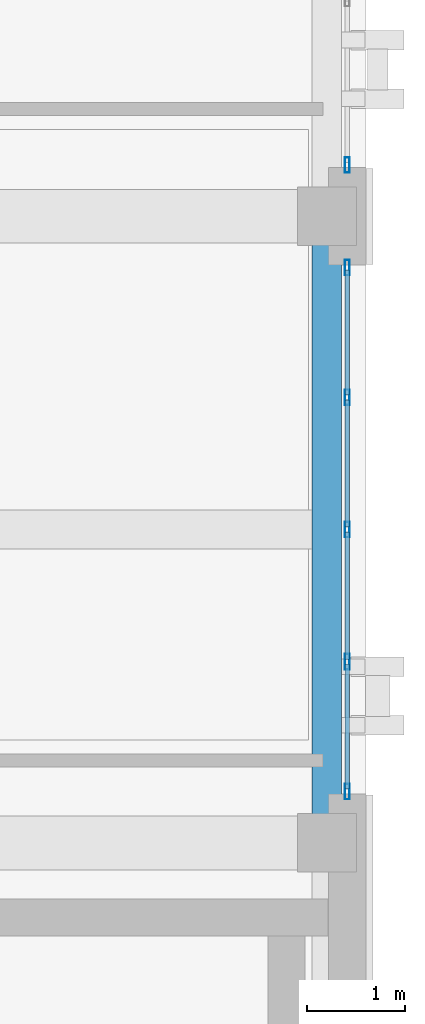
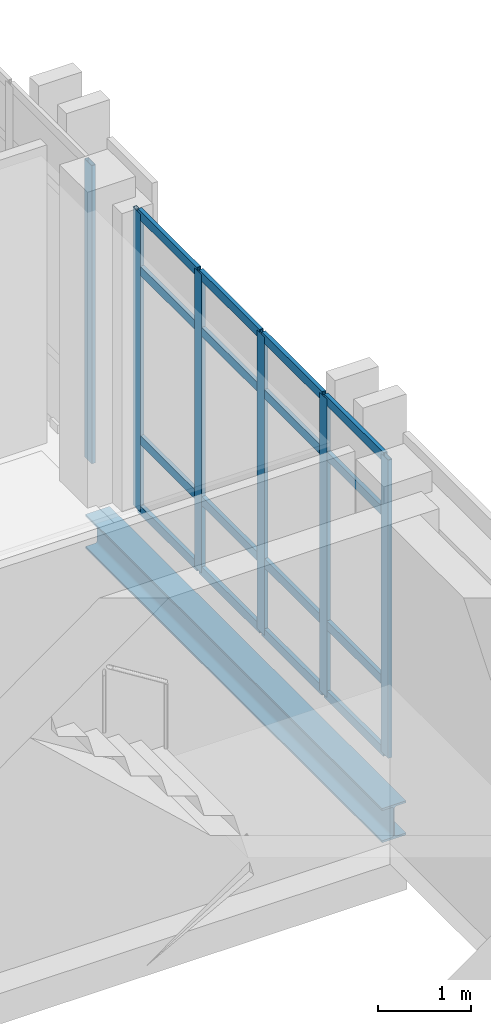
# One storey, part 53 of 90: 22 members, 1 beam, 2 elements without a shape of their own.
"""IFC4 building model written with IfcOpenShell, lengths in metres."""

import ifcopenshell
import ifcopenshell.guid

model = None  # the IFC model being written
_history = None  # IfcOwnerHistory: only IFC2X3 demands one
_inside = {}  # id of a spatial element -> (the spatial element, [elements in it])
_under = {}  # id of a project, library or spatial element -> (it, [spatial elements below it])
_declared = {}  # id of a project -> (the project, [libraries it declares])
_typed = {}  # id of a type object -> (the type object, [elements of that type])
_made_of = {}  # id of a material, layer set ... -> (it, [elements and type objects made of it])


def new_model(schema):
    """Start an empty IFC model of exactly this schema.

    Asked for "IFC4X3", IfcOpenShell would pick the latest addendum, in which some entities
    have other attributes; the version numbers below select the first issue.
    IFC2X3 requires an IfcOwnerHistory on every rooted entity: one is made here for all.
    """
    global model, _history
    if schema == "IFC4X3":
        model = ifcopenshell.file(schema_version=(4, 3, 0, 0))
    else:
        model = ifcopenshell.file(schema=schema)
    _inside.clear()
    _under.clear()
    _declared.clear()
    _typed.clear()
    _made_of.clear()
    _history = None
    if model.schema == "IFC2X3":
        org = make("IfcOrganization", Name="unknown")
        user = make(
            "IfcPersonAndOrganization",
            ThePerson=make("IfcPerson", FamilyName="unknown"),
            TheOrganization=org,
        )
        app = make(
            "IfcApplication",
            ApplicationDeveloper=org,
            Version="unknown",
            ApplicationFullName="unknown",
            ApplicationIdentifier="unknown",
        )
        _history = make(
            "IfcOwnerHistory",
            OwningUser=user,
            OwningApplication=app,
            ChangeAction="ADDED",
            CreationDate=0,
        )
    return model


def make(cls, **values):
    """One entity of the class cls with the attributes given. An attribute that is None is left unset."""
    return model.create_entity(
        cls, **{name: value for name, value in values.items() if value is not None}
    )


def rooted(cls, **values):
    """An entity with a GlobalId (a new one), such as an element, a storey or a relation."""
    return make(cls, GlobalId=ifcopenshell.guid.new(), OwnerHistory=_history, **values)


def si_unit(unit_type, name, prefix=None):
    """IfcSIUnit, for example si_unit("LENGTHUNIT", "METRE", prefix="MILLI")."""
    return make("IfcSIUnit", UnitType=unit_type, Prefix=prefix, Name=name)


def assignment(units):
    """IfcUnitAssignment: the units of a project."""
    return None if units is None else make("IfcUnitAssignment", Units=units)


def point(xyz):
    """IfcCartesianPoint."""
    return None if xyz is None else make("IfcCartesianPoint", Coordinates=xyz)


def direction(xyz):
    """IfcDirection."""
    return None if xyz is None else make("IfcDirection", DirectionRatios=xyz)


def frame(location, z_axis=None, x_axis=None):
    """IfcAxis2Placement3D, a coordinate frame: its origin and axes. An axis left out is left unset."""
    return make(
        "IfcAxis2Placement3D",
        Location=point(location),
        Axis=direction(z_axis),
        RefDirection=direction(x_axis),
    )


def frame_2d(location, x_axis=None):
    """IfcAxis2Placement2D, a coordinate frame in the plane: its origin and x axis."""
    return make(
        "IfcAxis2Placement2D", Location=point(location), RefDirection=direction(x_axis)
    )


def origin():
    """The frame at (0, 0, 0) with its axes left unset."""
    return frame((0.0, 0.0, 0.0))


def origin_2d():
    """The frame at (0, 0) in the plane with its x axis left unset."""
    return frame_2d((0.0, 0.0))


def place(relative_to, where):
    """IfcLocalPlacement: puts the frame where relative to a parent placement (None: the world)."""
    return make(
        "IfcLocalPlacement", PlacementRelTo=relative_to, RelativePlacement=where
    )


def context(
    kind, dimensions, precision=None, world=None, true_north=None, identifier=None
):
    """IfcGeometricRepresentationContext, for example the 3D "Model" context."""
    return make(
        "IfcGeometricRepresentationContext",
        ContextIdentifier=identifier,
        ContextType=kind,
        CoordinateSpaceDimension=dimensions,
        Precision=precision,
        WorldCoordinateSystem=world,
        TrueNorth=true_north,
    )


def subcontext(parent, identifier, kind, view, scale=None):
    """IfcGeometricRepresentationSubContext, for example "Body" below "Model"."""
    return make(
        "IfcGeometricRepresentationSubContext",
        ContextIdentifier=identifier,
        ContextType=kind,
        ParentContext=parent,
        TargetScale=scale,
        TargetView=view,
    )


def project(units=None, contexts=None):
    """IfcProject with its units and contexts."""
    return rooted(
        "IfcProject",
        Name="project",
        RepresentationContexts=contexts,
        UnitsInContext=assignment(units),
    )


def spatial(cls, under=None, at=None, **own):
    """A site, building, storey or space (cls), placed at a placement, below another one or the project."""
    s = rooted(cls, ObjectPlacement=at, **own)
    if under is not None:
        _under.setdefault(under.id(), (under, []))[1].append(s)
    return s


def profile(cls, at=None, kind="AREA", **sizes):
    """A parametric profile (cls). Its sizes go by their IFC names, for example OverallWidth=200.0."""
    return make(cls, ProfileType=kind, Position=at, **sizes)


def hollow_rectangle(**sizes):
    """IfcRectangleHollowProfileDef."""
    return profile("IfcRectangleHollowProfileDef", **sizes)


def i_section(**sizes):
    """IfcIShapeProfileDef."""
    return profile("IfcIShapeProfileDef", **sizes)


def extrude(swept, where, along, depth):
    """IfcExtrudedAreaSolid: the profile swept, set in the frame where, extruded along a direction by depth."""
    return make(
        "IfcExtrudedAreaSolid",
        SweptArea=swept,
        Position=where,
        ExtrudedDirection=direction(along),
        Depth=depth,
    )


def shape(context_of_items, identifier, shape_type, items):
    """IfcShapeRepresentation: the items that make up one representation, for example the "Body"."""
    return make(
        "IfcShapeRepresentation",
        ContextOfItems=context_of_items,
        RepresentationIdentifier=identifier,
        RepresentationType=shape_type,
        Items=items,
    )


def material(Name=None, Category=None):
    """IfcMaterial."""
    return make("IfcMaterial", Name=Name, Category=Category)


def layer(
    of_material, thickness, ventilated=None, Name=None, Category=None, Priority=None
):
    """IfcMaterialLayer: one layer of a wall or slab, of a material (None: an air gap)."""
    return make(
        "IfcMaterialLayer",
        Material=of_material,
        LayerThickness=thickness,
        IsVentilated=ventilated,
        Name=Name,
        Category=Category,
        Priority=Priority,
    )


def layer_set(layers, Name=None):
    """IfcMaterialLayerSet."""
    return make("IfcMaterialLayerSet", MaterialLayers=layers, LayerSetName=Name)


def material_profile(
    of_material, cross_section, Name=None, Category=None, Priority=None
):
    """IfcMaterialProfile: a cross section and its material."""
    return make(
        "IfcMaterialProfile",
        Name=Name,
        Material=of_material,
        Profile=cross_section,
        Priority=Priority,
        Category=Category,
    )


def profile_set(profiles, Name=None, composite=None):
    """IfcMaterialProfileSet."""
    return make(
        "IfcMaterialProfileSet",
        Name=Name,
        MaterialProfiles=profiles,
        CompositeProfile=composite,
    )


def made_of(thing, what):
    """Note that an element or type object is made of a material, layer set ...; save() writes the relation."""
    if what is not None:
        _made_of.setdefault(what.id(), (what, []))[1].append(thing)
    return thing


def type_object(cls, material=None, **own):
    """A type object (cls), such as IfcWallType, which elements share."""
    return made_of(rooted(cls, **own), material)


def element(
    cls,
    number,
    at=None,
    inside=None,
    cuts=None,
    type_object=None,
    material=None,
    context=None,
    identifier="Body",
    shape_type=None,
    held_by="IfcProductDefinitionShape",
    body=None,
    shapes=None,
    **own,
):
    """One element of the class cls, such as IfcWall. Its Tag is "e" and its number.

    at: its placement. inside: the storey or other place that contains it. cuts: it is an
    opening in that element (IfcRelVoidsElement). A single representation is given by context,
    identifier, shape_type and body (its items); several are given by shapes. held_by: the class
    of the entity that holds the representations. save() writes the other relations.
    """
    e = rooted(cls, Tag="e%d" % number, ObjectPlacement=at, **own)
    if body is not None:
        shapes = [shape(context, identifier, shape_type, body)]
    if shapes is not None:
        e.Representation = make(held_by, Representations=shapes)
    if inside is not None:
        _inside.setdefault(inside.id(), (inside, []))[1].append(e)
    if cuts is not None:
        rooted(
            "IfcRelVoidsElement", RelatingBuildingElement=cuts, RelatedOpeningElement=e
        )
    if type_object is not None:
        _typed.setdefault(type_object.id(), (type_object, []))[1].append(e)
    return made_of(e, material)


def aggregate(whole, parts):
    """IfcRelAggregates: a whole, such as a stair, and the parts it consists of."""
    return rooted("IfcRelAggregates", RelatingObject=whole, RelatedObjects=parts)


def save(model, path):
    """Write the relations noted so far, then the file.

    IfcRelAggregates (storeys below a building ...), IfcRelContainedInSpatialStructure (elements
    in a storey), IfcRelDefinesByType, IfcRelAssociatesMaterial and IfcRelDeclares: one each for
    every whole, place, type object, material and project.
    """
    for whole, parts in _under.values():
        aggregate(whole, parts)
    for where, things in _inside.values():
        rooted(
            "IfcRelContainedInSpatialStructure",
            RelatedElements=things,
            RelatingStructure=where,
        )
    for kind, things in _typed.values():
        rooted("IfcRelDefinesByType", RelatedObjects=things, RelatingType=kind)
    for what, things in _made_of.values():
        rooted("IfcRelAssociatesMaterial", RelatedObjects=things, RelatingMaterial=what)
    for by, libraries in _declared.values():
        rooted("IfcRelDeclares", RelatingContext=by, RelatedDefinitions=libraries)
    model.write(path)


model = new_model("IFC4")

# Units and contexts
model_context = context("Model", 3, precision=1e-05, world=origin(), true_north=direction((0.0, 1.0)))
body_context = subcontext(model_context, "Body", "Model", "MODEL_VIEW")
ifc_project = project(units=[si_unit("LENGTHUNIT", "METRE"), si_unit("AREAUNIT", "SQUARE_METRE"), si_unit("VOLUMEUNIT", "CUBIC_METRE"), si_unit("PLANEANGLEUNIT", "RADIAN"), si_unit("MASSUNIT", "GRAM", prefix="KILO")], contexts=[model_context])

# Site, building, storey
site_placement = place(None, origin())
site = spatial("IfcSite", under=ifc_project, at=site_placement, CompositionType="ELEMENT")
building_placement = place(site_placement, origin())
building = spatial("IfcBuilding", under=site, at=building_placement, Name="Qalavern Law Courts", CompositionType="ELEMENT")
storey_placement = place(building_placement, frame((0.0, 0.0, 22.800048828125)))
storey = spatial("IfcBuildingStorey", under=building, at=storey_placement, Name="L05", CompositionType="ELEMENT", Elevation=22.800048828125)

# Curtain wall, members
ifc_material_1 = material(Name="Anodised aluminium and insulated glazing", Category="aluminium")
ifc_layer = layer(ifc_material_1, 0.159912109375)
ifc_layer_set = layer_set([ifc_layer], Name="Anodised aluminium and insulated glazing")
curtain_wall_type = type_object("IfcCurtainWallType", Name="ENV-CW-CHAMB", PredefinedType="USERDEFINED", material=ifc_layer_set)
curtain_wall_1_placement = place(storey_placement, origin())
curtain_wall_1 = element("IfcCurtainWall", 1, at=curtain_wall_1_placement, inside=storey, type_object=curtain_wall_type, Name="V4 unitised curtain wall L05 east 4", ObjectType="UNITISED CURTAIN WALL", PredefinedType="USERDEFINED")
ifc_material_2 = material(Name="Anodised aluminium", Category="aluminium")
ifc_material_profile_1 = material_profile(ifc_material_2, hollow_rectangle(XDim=0.048095703125, YDim=0.159912109375, WallThickness=0.00390625, at=origin_2d()), Name="ALU MULLION 48x160")
ifc_profile_set_1 = profile_set([ifc_material_profile_1], Name="Anodised aluminium")
member_type_1 = type_object("IfcMemberType", Name="ENV-CWM-48x160", PredefinedType="MULLION", material=ifc_profile_set_1)
member_1_placement = place(storey_placement, frame((106.607421875, 73.323974609375, 0.0), z_axis=(0.0, 0.0, 1.0), x_axis=(-1.0, 0.0, 0.0)))
member_1 = element("IfcMember", 2, at=member_1_placement, type_object=member_type_1, Name="CW-04 mullion 1", PredefinedType="MULLION", context=body_context, shape_type="SweptSolid", body=[
    extrude(hollow_rectangle(XDim=0.048095703125, YDim=0.159912109375, WallThickness=0.00390625, at=origin_2d()), origin(), (0.0, 0.0, 1.0), 3.929931640625),
])
member_2_placement = place(storey_placement, frame((106.607421875, 74.64990234375, 0.0), z_axis=(0.0, 0.0, 1.0), x_axis=(-1.0, 0.0, 0.0)))
member_2 = element("IfcMember", 3, at=member_2_placement, type_object=member_type_1, Name="CW-04 mullion 2", PredefinedType="MULLION", context=body_context, shape_type="SweptSolid", body=[
    extrude(hollow_rectangle(XDim=0.048095703125, YDim=0.159912109375, WallThickness=0.00390625, at=origin_2d()), origin(), (0.0, 0.0, 1.0), 3.929931640625),
])
member_3_placement = place(storey_placement, frame((106.607421875, 76.0, 0.0), z_axis=(0.0, 0.0, 1.0), x_axis=(-1.0, 0.0, 0.0)))
member_3 = element("IfcMember", 4, at=member_3_placement, type_object=member_type_1, Name="CW-04 mullion 3", PredefinedType="MULLION", context=body_context, shape_type="SweptSolid", body=[
    extrude(hollow_rectangle(XDim=0.048095703125, YDim=0.159912109375, WallThickness=0.00390625, at=origin_2d()), origin(), (0.0, 0.0, 1.0), 3.929931640625),
])
member_4_placement = place(storey_placement, frame((106.607421875, 77.35009765625, 0.0), z_axis=(0.0, 0.0, 1.0), x_axis=(-1.0, 0.0, 0.0)))
member_4 = element("IfcMember", 5, at=member_4_placement, type_object=member_type_1, Name="CW-04 mullion 4", PredefinedType="MULLION", context=body_context, shape_type="SweptSolid", body=[
    extrude(hollow_rectangle(XDim=0.048095703125, YDim=0.159912109375, WallThickness=0.00390625, at=origin_2d()), origin(), (0.0, 0.0, 1.0), 3.929931640625),
])
member_5_placement = place(storey_placement, frame((106.607421875, 78.676025390625, 0.0), z_axis=(0.0, 0.0, 1.0), x_axis=(-1.0, 0.0, 0.0)))
member_5 = element("IfcMember", 6, at=member_5_placement, type_object=member_type_1, Name="CW-04 mullion 5", PredefinedType="MULLION", context=body_context, shape_type="SweptSolid", body=[
    extrude(hollow_rectangle(XDim=0.048095703125, YDim=0.159912109375, WallThickness=0.00390625, at=origin_2d()), origin(), (0.0, 0.0, 1.0), 3.929931640625),
])

# Curtain wall, member
curtain_wall_2_placement = place(storey_placement, origin())
curtain_wall_2 = element("IfcCurtainWall", 7, at=curtain_wall_2_placement, inside=storey, type_object=curtain_wall_type, Name="V4 unitised curtain wall L05 east 5", ObjectType="UNITISED CURTAIN WALL", PredefinedType="USERDEFINED")
member_6_placement = place(storey_placement, frame((106.607421875, 79.72412109375, 0.0), z_axis=(0.0, 0.0, 1.0), x_axis=(-1.0, 0.0, 0.0)))
member_6 = element("IfcMember", 8, at=member_6_placement, type_object=member_type_1, Name="CW-04 mullion 1", PredefinedType="MULLION", context=body_context, shape_type="SweptSolid", body=[
    extrude(hollow_rectangle(XDim=0.048095703125, YDim=0.159912109375, WallThickness=0.00390625, at=origin_2d()), origin(), (0.0, 0.0, 1.0), 3.929931640625),
])
aggregate(curtain_wall_2, [member_6])

# Member
ifc_material_profile_2 = material_profile(ifc_material_2, hollow_rectangle(XDim=0.048095703125, YDim=0.1201171875, WallThickness=0.00390625, at=origin_2d()), Name="ALU TRANSOM 48x120")
ifc_profile_set_2 = profile_set([ifc_material_profile_2], Name="Anodised aluminium")
member_type_2 = type_object("IfcMemberType", Name="ENV-CWT-48x120", PredefinedType="USERDEFINED", material=ifc_profile_set_2)
member_7_placement = place(storey_placement, frame((106.607421875, 73.347900390625, 0.02392578125), z_axis=(0.0, 1.0, 0.0), x_axis=(-1.0, 0.0, 0.0)))
member_7 = element("IfcMember", 9, at=member_7_placement, type_object=member_type_2, Name="CW-04 transom 1.1", ObjectType="TRANSOM", PredefinedType="USERDEFINED", context=body_context, shape_type="SweptSolid", body=[
    extrude(hollow_rectangle(XDim=0.048095703125, YDim=0.1201171875, WallThickness=0.00390625, at=origin_2d()), origin(), (0.0, 0.0, 1.0), 1.278076171875),
])

member_8_placement = place(storey_placement, frame((106.607421875, 73.347900390625, 0.949951171875), z_axis=(0.0, 1.0, 0.0), x_axis=(-1.0, 0.0, 0.0)))
member_8 = element("IfcMember", 10, at=member_8_placement, type_object=member_type_2, Name="CW-04 transom 1.2", ObjectType="TRANSOM", PredefinedType="USERDEFINED", context=body_context, shape_type="SweptSolid", body=[
    extrude(hollow_rectangle(XDim=0.048095703125, YDim=0.1201171875, WallThickness=0.00390625, at=origin_2d()), origin(), (0.0, 0.0, 1.0), 1.278076171875),
])

member_9_placement = place(storey_placement, frame((106.607421875, 73.347900390625, 3.179931640625), z_axis=(0.0, 1.0, 0.0), x_axis=(-1.0, 0.0, 0.0)))
member_9 = element("IfcMember", 11, at=member_9_placement, type_object=member_type_2, Name="CW-04 transom 1.3", ObjectType="TRANSOM", PredefinedType="USERDEFINED", context=body_context, shape_type="SweptSolid", body=[
    extrude(hollow_rectangle(XDim=0.048095703125, YDim=0.1201171875, WallThickness=0.00390625, at=origin_2d()), origin(), (0.0, 0.0, 1.0), 1.278076171875),
])

member_10_placement = place(storey_placement, frame((106.607421875, 73.347900390625, 3.906005859375), z_axis=(0.0, 1.0, 0.0), x_axis=(-1.0, 0.0, 0.0)))
member_10 = element("IfcMember", 12, at=member_10_placement, type_object=member_type_2, Name="CW-04 transom 1.4", ObjectType="TRANSOM", PredefinedType="USERDEFINED", context=body_context, shape_type="SweptSolid", body=[
    extrude(hollow_rectangle(XDim=0.048095703125, YDim=0.1201171875, WallThickness=0.00390625, at=origin_2d()), origin(), (0.0, 0.0, 1.0), 1.278076171875),
])

member_11_placement = place(storey_placement, frame((106.607421875, 74.674072265625, 0.02392578125), z_axis=(0.0, 1.0, 0.0), x_axis=(-1.0, 0.0, 0.0)))
member_11 = element("IfcMember", 13, at=member_11_placement, type_object=member_type_2, Name="CW-04 transom 2.1", ObjectType="TRANSOM", PredefinedType="USERDEFINED", context=body_context, shape_type="SweptSolid", body=[
    extrude(hollow_rectangle(XDim=0.048095703125, YDim=0.1201171875, WallThickness=0.00390625, at=origin_2d()), origin(), (0.0, 0.0, 1.0), 1.302001953125),
])

member_12_placement = place(storey_placement, frame((106.607421875, 74.674072265625, 0.949951171875), z_axis=(0.0, 1.0, 0.0), x_axis=(-1.0, 0.0, 0.0)))
member_12 = element("IfcMember", 14, at=member_12_placement, type_object=member_type_2, Name="CW-04 transom 2.2", ObjectType="TRANSOM", PredefinedType="USERDEFINED", context=body_context, shape_type="SweptSolid", body=[
    extrude(hollow_rectangle(XDim=0.048095703125, YDim=0.1201171875, WallThickness=0.00390625, at=origin_2d()), origin(), (0.0, 0.0, 1.0), 1.302001953125),
])

member_13_placement = place(storey_placement, frame((106.607421875, 74.674072265625, 3.179931640625), z_axis=(0.0, 1.0, 0.0), x_axis=(-1.0, 0.0, 0.0)))
member_13 = element("IfcMember", 15, at=member_13_placement, type_object=member_type_2, Name="CW-04 transom 2.3", ObjectType="TRANSOM", PredefinedType="USERDEFINED", context=body_context, shape_type="SweptSolid", body=[
    extrude(hollow_rectangle(XDim=0.048095703125, YDim=0.1201171875, WallThickness=0.00390625, at=origin_2d()), origin(), (0.0, 0.0, 1.0), 1.302001953125),
])

member_14_placement = place(storey_placement, frame((106.607421875, 74.674072265625, 3.906005859375), z_axis=(0.0, 1.0, 0.0), x_axis=(-1.0, 0.0, 0.0)))
member_14 = element("IfcMember", 16, at=member_14_placement, type_object=member_type_2, Name="CW-04 transom 2.4", ObjectType="TRANSOM", PredefinedType="USERDEFINED", context=body_context, shape_type="SweptSolid", body=[
    extrude(hollow_rectangle(XDim=0.048095703125, YDim=0.1201171875, WallThickness=0.00390625, at=origin_2d()), origin(), (0.0, 0.0, 1.0), 1.302001953125),
])

member_15_placement = place(storey_placement, frame((106.607421875, 76.02392578125, 0.02392578125), z_axis=(0.0, 1.0, 0.0), x_axis=(-1.0, 0.0, 0.0)))
member_15 = element("IfcMember", 17, at=member_15_placement, type_object=member_type_2, Name="CW-04 transom 3.1", ObjectType="TRANSOM", PredefinedType="USERDEFINED", context=body_context, shape_type="SweptSolid", body=[
    extrude(hollow_rectangle(XDim=0.048095703125, YDim=0.1201171875, WallThickness=0.00390625, at=origin_2d()), origin(), (0.0, 0.0, 1.0), 1.302001953125),
])

member_16_placement = place(storey_placement, frame((106.607421875, 76.02392578125, 0.949951171875), z_axis=(0.0, 1.0, 0.0), x_axis=(-1.0, 0.0, 0.0)))
member_16 = element("IfcMember", 18, at=member_16_placement, type_object=member_type_2, Name="CW-04 transom 3.2", ObjectType="TRANSOM", PredefinedType="USERDEFINED", context=body_context, shape_type="SweptSolid", body=[
    extrude(hollow_rectangle(XDim=0.048095703125, YDim=0.1201171875, WallThickness=0.00390625, at=origin_2d()), origin(), (0.0, 0.0, 1.0), 1.302001953125),
])

member_17_placement = place(storey_placement, frame((106.607421875, 76.02392578125, 3.179931640625), z_axis=(0.0, 1.0, 0.0), x_axis=(-1.0, 0.0, 0.0)))
member_17 = element("IfcMember", 19, at=member_17_placement, type_object=member_type_2, Name="CW-04 transom 3.3", ObjectType="TRANSOM", PredefinedType="USERDEFINED", context=body_context, shape_type="SweptSolid", body=[
    extrude(hollow_rectangle(XDim=0.048095703125, YDim=0.1201171875, WallThickness=0.00390625, at=origin_2d()), origin(), (0.0, 0.0, 1.0), 1.302001953125),
])

member_18_placement = place(storey_placement, frame((106.607421875, 76.02392578125, 3.906005859375), z_axis=(0.0, 1.0, 0.0), x_axis=(-1.0, 0.0, 0.0)))
member_18 = element("IfcMember", 20, at=member_18_placement, type_object=member_type_2, Name="CW-04 transom 3.4", ObjectType="TRANSOM", PredefinedType="USERDEFINED", context=body_context, shape_type="SweptSolid", body=[
    extrude(hollow_rectangle(XDim=0.048095703125, YDim=0.1201171875, WallThickness=0.00390625, at=origin_2d()), origin(), (0.0, 0.0, 1.0), 1.302001953125),
])

member_19_placement = place(storey_placement, frame((106.607421875, 77.3740234375, 0.02392578125), z_axis=(0.0, 1.0, 0.0), x_axis=(-1.0, 0.0, 0.0)))
member_19 = element("IfcMember", 21, at=member_19_placement, type_object=member_type_2, Name="CW-04 transom 4.1", ObjectType="TRANSOM", PredefinedType="USERDEFINED", context=body_context, shape_type="SweptSolid", body=[
    extrude(hollow_rectangle(XDim=0.048095703125, YDim=0.1201171875, WallThickness=0.00390625, at=origin_2d()), origin(), (0.0, 0.0, 1.0), 1.278076171875),
])

member_20_placement = place(storey_placement, frame((106.607421875, 77.3740234375, 0.949951171875), z_axis=(0.0, 1.0, 0.0), x_axis=(-1.0, 0.0, 0.0)))
member_20 = element("IfcMember", 22, at=member_20_placement, type_object=member_type_2, Name="CW-04 transom 4.2", ObjectType="TRANSOM", PredefinedType="USERDEFINED", context=body_context, shape_type="SweptSolid", body=[
    extrude(hollow_rectangle(XDim=0.048095703125, YDim=0.1201171875, WallThickness=0.00390625, at=origin_2d()), origin(), (0.0, 0.0, 1.0), 1.278076171875),
])

member_21_placement = place(storey_placement, frame((106.607421875, 77.3740234375, 3.179931640625), z_axis=(0.0, 1.0, 0.0), x_axis=(-1.0, 0.0, 0.0)))
member_21 = element("IfcMember", 23, at=member_21_placement, type_object=member_type_2, Name="CW-04 transom 4.3", ObjectType="TRANSOM", PredefinedType="USERDEFINED", context=body_context, shape_type="SweptSolid", body=[
    extrude(hollow_rectangle(XDim=0.048095703125, YDim=0.1201171875, WallThickness=0.00390625, at=origin_2d()), origin(), (0.0, 0.0, 1.0), 1.278076171875),
])

member_22_placement = place(storey_placement, frame((106.607421875, 77.3740234375, 3.906005859375), z_axis=(0.0, 1.0, 0.0), x_axis=(-1.0, 0.0, 0.0)))
member_22 = element("IfcMember", 24, at=member_22_placement, type_object=member_type_2, Name="CW-04 transom 4.4", ObjectType="TRANSOM", PredefinedType="USERDEFINED", context=body_context, shape_type="SweptSolid", body=[
    extrude(hollow_rectangle(XDim=0.048095703125, YDim=0.1201171875, WallThickness=0.00390625, at=origin_2d()), origin(), (0.0, 0.0, 1.0), 1.278076171875),
])

aggregate(curtain_wall_1, [member_1, member_2, member_3, member_4, member_5, member_7, member_8, member_9, member_10, member_11, member_12, member_13, member_14, member_15, member_16, member_17, member_18, member_19, member_20, member_21, member_22])

# Beam
ifc_material_3 = material(Name="Steel S355", Category="steel")
ifc_material_profile_3 = material_profile(ifc_material_3, i_section(OverallWidth=0.300048828125, OverallDepth=0.449951171875, WebThickness=0.013916015625, FlangeThickness=0.02587890625, FilletRadius=0.027099609375, at=origin_2d()), Name="HEB 450")
ifc_profile_set_3 = profile_set([ifc_material_profile_3], Name="Steel S355")
beam_type = type_object("IfcBeamType", Name="STR-SP-HEB450", PredefinedType="SPANDREL", material=ifc_profile_set_3)
beam_placement = place(storey_placement, frame((106.39990234375, 72.800048828125, -0.5), z_axis=(0.0, 1.0, 0.0), x_axis=(-1.0, 0.0, 0.0)))
element("IfcBeam", 25, at=beam_placement, inside=storey, type_object=beam_type, Name="V4 Y-beam 3-5 L05", PredefinedType="SPANDREL", context=body_context, shape_type="SweptSolid", body=[
    extrude(i_section(OverallWidth=0.300048828125, OverallDepth=0.449951171875, WebThickness=0.013916015625, FlangeThickness=0.02587890625, FilletRadius=0.027099609375, at=origin_2d()), origin(), (0.0, 0.0, 1.0), 6.39990234375),
])

save(model, "model.ifc")
